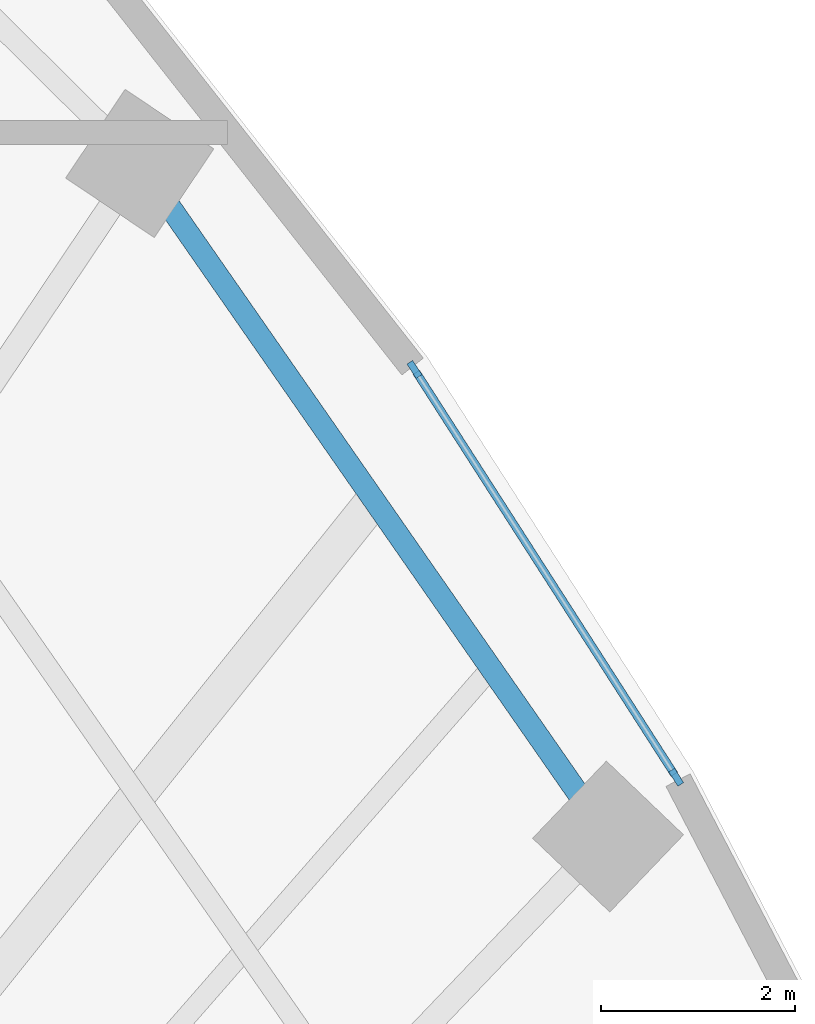
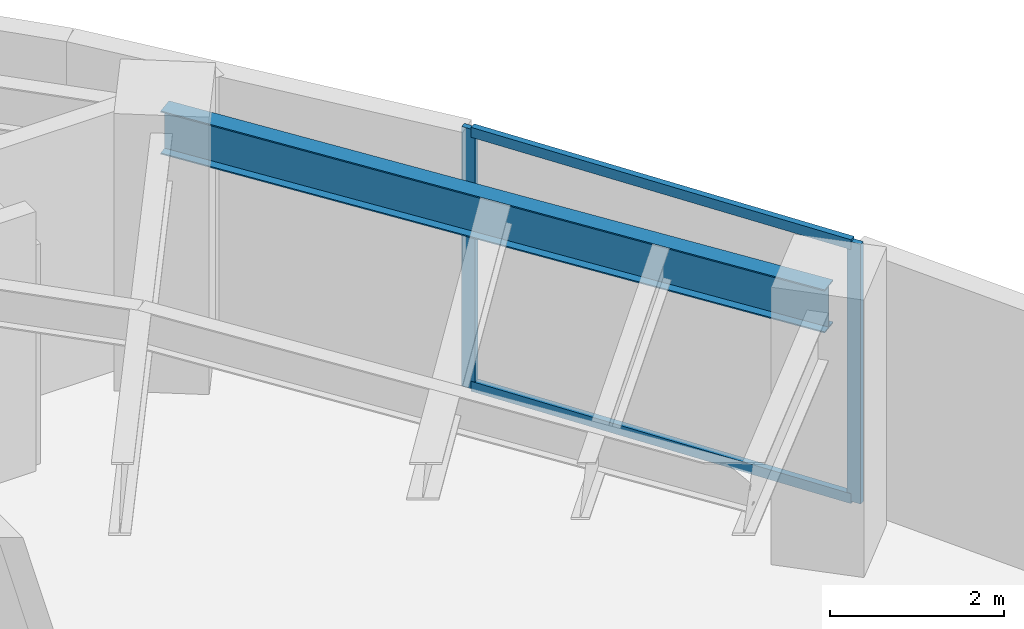
# One storey, part 6 of 13: 4 members, 1 beam, 1 element without a shape of its own.
"""IFC4 building model written with IfcOpenShell, lengths in metres."""

from ifc_helpers import new_model, si_unit, direction, frame, origin, origin_2d, place, context, subcontext, project, spatial, rectangle, i_section, extrude, source, transform, mapped, material, layer, layer_set, material_profile, profile_set, type_object, element, aggregate, save


model = new_model("IFC4")

# Units and contexts
model_context = context("Model", 3, precision=1e-05, world=origin(), true_north=direction((0.0, 1.0)))
body_context = subcontext(model_context, "Body", "Model", "MODEL_VIEW")
ifc_project = project(units=[si_unit("LENGTHUNIT", "METRE"), si_unit("AREAUNIT", "SQUARE_METRE"), si_unit("VOLUMEUNIT", "CUBIC_METRE"), si_unit("PLANEANGLEUNIT", "RADIAN"), si_unit("MASSUNIT", "GRAM", prefix="KILO")], contexts=[model_context])

# Site, building, storey
site_placement = place(None, origin())
site = spatial("IfcSite", under=ifc_project, at=site_placement, CompositionType="ELEMENT")
building_placement = place(site_placement, origin())
building = spatial("IfcBuilding", under=site, at=building_placement, Name="Breltana Convention Tower", CompositionType="ELEMENT")
storey_placement = place(building_placement, frame((0.0, 0.0, 181.800048828125)))
storey = spatial("IfcBuildingStorey", under=building, at=storey_placement, Name="L44", CompositionType="ELEMENT", Elevation=181.800048828125)

# Beam
ifc_material_1 = material(Name="Steel ASTM A992 Grade 50", Category="steel")
ifc_material_profile_1 = material_profile(ifc_material_1, i_section(OverallWidth=0.22802734375, OverallDepth=0.60791015625, WebThickness=0.01123046875, FlangeThickness=0.017333984375, at=origin_2d()), Name="W24X76")
ifc_profile_set_1 = profile_set([ifc_material_profile_1], Name="Steel ASTM A992 Grade 50")
beam_type = type_object("IfcBeamType", Name="BM-SP-W24X76", PredefinedType="SPANDREL", material=ifc_profile_set_1)
shared_shape_1 = source(origin(), body_context, "Body", "SweptSolid", [
    extrude(i_section(OverallWidth=0.22802734375, OverallDepth=0.60791015625, WebThickness=0.01123046875, FlangeThickness=0.017333984375, at=origin_2d()), origin(), (0.0, 0.0, 1.0), 8.44970703125),
])
beam_placement = place(storey_placement, frame((75.166748046875, 62.43017578125, 3.345947265625), z_axis=(0.5711855381, -0.820820979913, 0.0), x_axis=(0.820820979913, 0.5711855381, 0.0)))
element("IfcBeam", 1, at=beam_placement, inside=storey, type_object=beam_type, Name="L44 Outer Spandrel Beam 10", PredefinedType="SPANDREL", context=body_context, shape_type="MappedRepresentation", body=[
    mapped(shared_shape_1, transform((0.0, 0.0, 0.0), scale=1.0)),
])

# Curtain wall, members
ifc_material_2 = material(Name="Aluminium Anodised Bronze Frame", Category="aluminium")
ifc_layer = layer(ifc_material_2, 0.2099609375, Name="Aluminium Anodised Bronze Frame")
ifc_layer_set = layer_set([ifc_layer], Name="Aluminium Anodised Bronze Frame")
curtain_wall_type = type_object("IfcCurtainWallType", Name="CW-SYS-3", PredefinedType="NOTDEFINED", material=ifc_layer_set)
curtain_wall_placement = place(storey_placement, origin())
curtain_wall = element("IfcCurtainWall", 2, at=curtain_wall_placement, inside=storey, type_object=curtain_wall_type, Name="L44 outer double-skin inner glazing 5", PredefinedType="NOTDEFINED")
ifc_material_3 = material(Name="Aluminium Anodised Bronze", Category="aluminium")
ifc_material_profile_2 = material_profile(ifc_material_3, rectangle(XDim=0.070068359375, YDim=0.175048828125, at=origin_2d()), Name="CWM-70X175")
ifc_profile_set_2 = profile_set([ifc_material_profile_2], Name="Aluminium Anodised Bronze")
member_type_1 = type_object("IfcMemberType", Name="CWM-175", PredefinedType="MULLION", material=ifc_profile_set_2)
shared_shape_2 = source(origin(), body_context, "Body", "SweptSolid", [
    extrude(rectangle(XDim=0.070068359375, YDim=0.175048828125, at=origin_2d()), origin(), (0.0, 0.0, 1.0), 3.64990234375),
])
member_1_placement = place(storey_placement, frame((77.99755859375, 60.308349609375, 0.0), z_axis=(0.0, 0.0, 1.0), x_axis=(0.841554203529, 0.54017267843, 0.0)))
member_1 = element("IfcMember", 3, at=member_1_placement, type_object=member_type_1, Name="CW-03 mullion 1", PredefinedType="MULLION", context=body_context, shape_type="MappedRepresentation", body=[
    mapped(shared_shape_2, transform((0.0, 0.0, 0.0), scale=1.0)),
])
member_2_placement = place(storey_placement, frame((80.695556640625, 56.10498046875, 0.0), z_axis=(0.0, 0.0, 1.0), x_axis=(0.841554203529, 0.54017267843, 0.0)))
member_2 = element("IfcMember", 4, at=member_2_placement, type_object=member_type_1, Name="CW-03 mullion 2", PredefinedType="MULLION", context=body_context, shape_type="MappedRepresentation", body=[
    mapped(shared_shape_2, transform((0.0, 0.0, 0.0), scale=1.0)),
])
ifc_material_profile_3 = material_profile(ifc_material_3, rectangle(XDim=0.080078125, YDim=0.139892578125, at=origin_2d()), Name="CWT-80X140")
ifc_profile_set_3 = profile_set([ifc_material_profile_3], Name="Aluminium Anodised Bronze")
member_type_2 = type_object("IfcMemberType", Name="CWT-140", PredefinedType="USERDEFINED", material=ifc_profile_set_3)
shared_shape_3 = source(origin(), body_context, "Body", "SweptSolid", [
    extrude(rectangle(XDim=0.080078125, YDim=0.139892578125, at=origin_2d()), origin(), (0.0, 0.0, 1.0), 4.924560546875),
])
member_3_placement = place(storey_placement, frame((78.0166015625, 60.27880859375, 0.0400390625), z_axis=(0.540178660563, -0.841550363717, 0.0), x_axis=(0.841550363717, 0.540178660563, 0.0)))
member_3 = element("IfcMember", 5, at=member_3_placement, type_object=member_type_2, Name="CW-03 transom 1.1", ObjectType="TRANSOM", PredefinedType="USERDEFINED", context=body_context, shape_type="MappedRepresentation", body=[
    mapped(shared_shape_3, transform((0.0, 0.0, 0.0), scale=1.0)),
])
member_4_placement = place(storey_placement, frame((78.0166015625, 60.27880859375, 3.60986328125), z_axis=(0.540178660563, -0.841550363717, 0.0), x_axis=(0.841550363717, 0.540178660563, 0.0)))
member_4 = element("IfcMember", 6, at=member_4_placement, type_object=member_type_2, Name="CW-03 transom 1.2", ObjectType="TRANSOM", PredefinedType="USERDEFINED", context=body_context, shape_type="MappedRepresentation", body=[
    mapped(shared_shape_3, transform((0.0, 0.0, 0.0), scale=1.0)),
])
aggregate(curtain_wall, [member_1, member_2, member_3, member_4])

save(model, "model.ifc")
